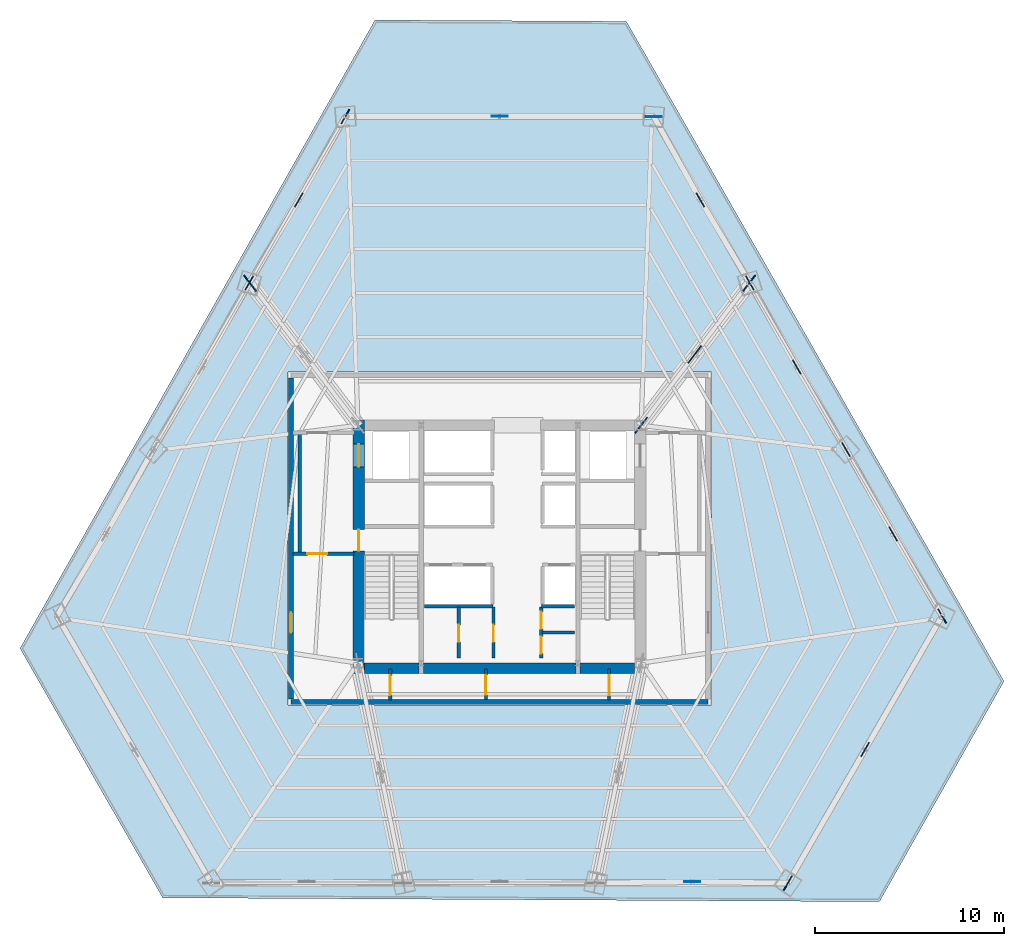
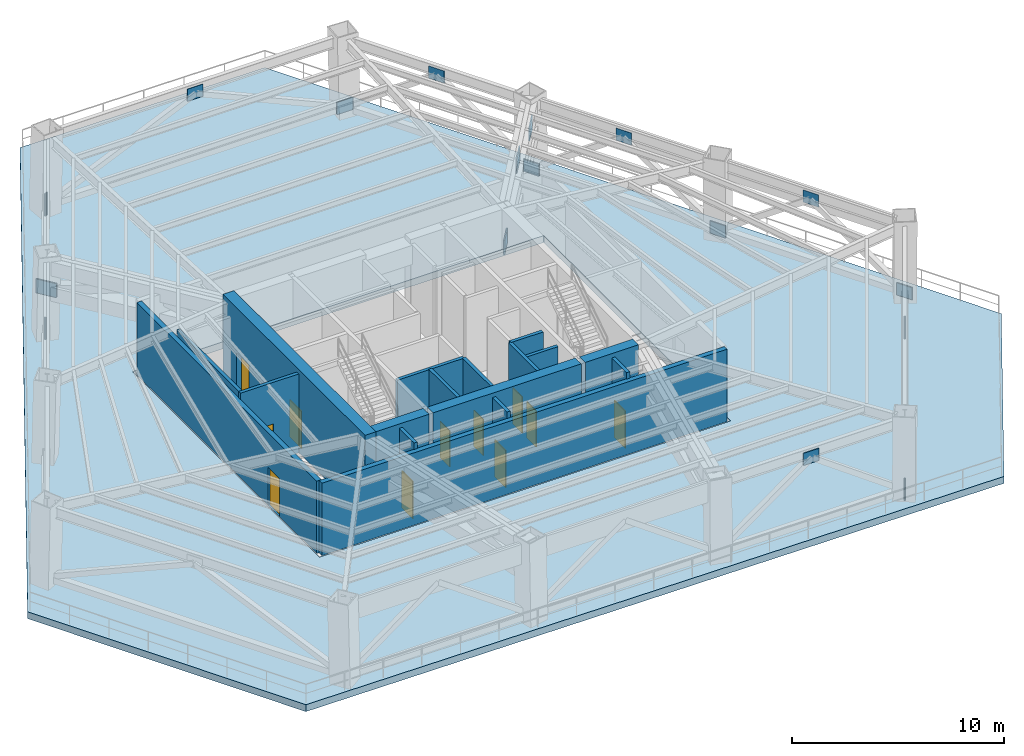
# One storey, part 7 of 13: 18 plates, 17 walls, 11 doors, 1 slab, 11 openings.
"""IFC4 building model written with IfcOpenShell, lengths in metres."""

from ifc_helpers import new_model, si_unit, direction, frame, frame_2d, origin, origin_2d, place, context, subcontext, project, spatial, polyline, rectangle, outline, extrude, source, transform, mapped, material, layer, layer_set, type_object, type_shapes, element, fill, save


model = new_model("IFC4")

# Units and contexts
model_context = context("Model", 3, precision=1e-05, world=origin(), true_north=direction((0.0, 1.0)))
body_context = subcontext(model_context, "Body", "Model", "MODEL_VIEW")
ifc_project = project(units=[si_unit("LENGTHUNIT", "METRE"), si_unit("AREAUNIT", "SQUARE_METRE"), si_unit("VOLUMEUNIT", "CUBIC_METRE"), si_unit("PLANEANGLEUNIT", "RADIAN"), si_unit("MASSUNIT", "GRAM", prefix="KILO")], contexts=[model_context])

# Site, building, storey
site_placement = place(None, origin())
site = spatial("IfcSite", under=ifc_project, at=site_placement, CompositionType="ELEMENT")
building_placement = place(site_placement, origin())
building = spatial("IfcBuilding", under=site, at=building_placement, Name="Caelisora Broadcast Tower", CompositionType="ELEMENT")
storey_placement = place(building_placement, frame((0.0, 0.0, 75.050048828125)))
storey = spatial("IfcBuildingStorey", under=building, at=storey_placement, Name="L19", CompositionType="ELEMENT", Elevation=75.050048828125)

# Slab
ifc_material_1 = material(Name="Concrete 50 MPa (AS 3600 S50)", Category="concrete")
ifc_layer_1 = layer(ifc_material_1, 0.39990234375, Name="Concrete 50 MPa (AS 3600 S50)")
ifc_layer_set_1 = layer_set([ifc_layer_1], Name="Concrete 50 MPa (AS 3600 S50)")
slab_type = type_object("IfcSlabType", Name="TR02", PredefinedType="FLOOR", material=ifc_layer_set_1)
slab_placement = place(storey_placement, frame((0.0, 0.0, -0.400146484375)))
element("IfcSlab", 1, at=slab_placement, inside=storey, type_object=slab_type, Name="L19 outdoor terrace slab TR02", PredefinedType="FLOOR", context=body_context, shape_type="SweptSolid", body=[
    extrude(outline(polyline([(64.72607421875, 16.43896484375), (58.1279296875, 4.760986328125), (20.153076171875, 4.967041015625), (12.593017578125, 18.179931640625), (31.402099609375, 51.472900390625), (44.722900390625, 51.39990234375), (64.72607421875, 16.43896484375)]), holes=[polyline([(49.199951171875, 15.179931640625), (49.201904296875, 15.179931640625), (49.2041015625, 15.179931640625), (49.2060546875, 15.180908203125), (49.2080078125, 15.181884765625), (49.208984375, 15.181884765625), (49.2109375, 15.18310546875), (49.212890625, 15.18505859375), (49.214111328125, 15.18603515625), (49.215087890625, 15.18701171875), (49.217041015625, 15.18896484375), (49.218017578125, 15.19091796875), (49.218017578125, 15.19189453125), (49.218994140625, 15.194091796875), (49.219970703125, 15.196044921875), (49.219970703125, 15.197998046875), (49.219970703125, 15.199951171875), (49.219970703125, 32.800048828125), (49.219970703125, 32.802001953125), (49.219970703125, 32.803955078125), (49.218994140625, 32.805908203125), (49.218017578125, 32.80810546875), (49.218017578125, 32.80908203125), (49.217041015625, 32.81103515625), (49.215087890625, 32.81298828125), (49.214111328125, 32.81396484375), (49.212890625, 32.81494140625), (49.2109375, 32.81689453125), (49.208984375, 32.818115234375), (49.2080078125, 32.818115234375), (49.2060546875, 32.819091796875), (49.2041015625, 32.820068359375), (49.201904296875, 32.820068359375), (49.199951171875, 32.820068359375), (26.800048828125, 32.820068359375), (26.798095703125, 32.820068359375), (26.7958984375, 32.820068359375), (26.7939453125, 32.819091796875), (26.7919921875, 32.818115234375), (26.791015625, 32.818115234375), (26.7890625, 32.81689453125), (26.787109375, 32.81494140625), (26.785888671875, 32.81396484375), (26.784912109375, 32.81298828125), (26.782958984375, 32.81103515625), (26.781982421875, 32.80908203125), (26.781982421875, 32.80810546875), (26.781005859375, 32.805908203125), (26.780029296875, 32.803955078125), (26.780029296875, 32.802001953125), (26.780029296875, 32.800048828125), (26.780029296875, 15.199951171875), (26.780029296875, 15.197998046875), (26.780029296875, 15.196044921875), (26.781005859375, 15.194091796875), (26.781982421875, 15.19189453125), (26.781982421875, 15.19091796875), (26.782958984375, 15.18896484375), (26.784912109375, 15.18701171875), (26.785888671875, 15.18603515625), (26.787109375, 15.18505859375), (26.7890625, 15.18310546875), (26.791015625, 15.181884765625), (26.7919921875, 15.181884765625), (26.7939453125, 15.180908203125), (26.7958984375, 15.179931640625), (26.798095703125, 15.179931640625), (26.800048828125, 15.179931640625), (49.199951171875, 15.179931640625)])]), origin(), (0.0, 0.0, 1.0), 0.400146484375),
])

# Plates
ifc_material_2 = material(Name="Steel Grade 350 L15 (AS/NZS 3678)", Category="steel")
ifc_layer_2 = layer(ifc_material_2, 0.050048828125, Name="Steel Grade 350 L15 (AS/NZS 3678)")
ifc_layer_set_2 = layer_set([ifc_layer_2], Name="Steel Grade 350 L15 (AS/NZS 3678)")
plate_type_1 = type_object("IfcPlateType", Name="GP03", PredefinedType="USERDEFINED", material=ifc_layer_set_2)
shared_shape_1 = source(origin(), body_context, "Body", "SweptSolid", [
    extrude(rectangle(XDim=0.85009765625, YDim=0.050048828125, at=origin_2d()), origin(), (0.0, 0.0, 1.0), 0.699951171875),
])
type_shapes(plate_type_1, [shared_shape_1])
for number, where, z_axis, x_axis, name in (
    (2, (46.169677734375, 46.356201171875, 0.0), (0.0, 0.0, 1.0), (-1.0, 0.0, 0.0), "L19 gusset plate GP03 (ND-BT-L19-01B)"),
    (3, (38.0, 46.362548828125, 3.6201171875), (0.0, 0.0, 1.0), (-1.0, 0.0, 0.0), "L19 gusset plate GP03 (ND-BT-L19-01M)"),
    (4, (29.830322265625, 46.356201171875, 0.0), (0.0, 0.0, 1.0), (-0.5, -0.866025403784, 0.0), "L19 gusset plate GP03 (ND-BT-L19-02B)"),
    (5, (27.362548828125, 41.938720703125, 3.6201171875), (0.0, 0.0, 1.0), (-0.5, -0.866025403784, 0.0), "L19 gusset plate GP03 (ND-BT-L19-02M)"),
    (6, (24.73828125, 37.536376953125, 0.0), (0.0, 0.0, 1.0), (-0.5, -0.866025403784, 0.0), "L19 gusset plate GP03 (ND-BT-L19-03B)"),
    (7, (48.216552734375, 5.818603515625, 3.6201171875), (0.0, 0.0, 1.0), (1.0, 0.0, 0.0), "L19 gusset plate GP03 (ND-BT-L19-08M)"),
    (8, (53.276123046875, 5.746826171875, 0.0), (0.0, 0.0, 1.0), (0.5, 0.866025403784, 0.0), "L19 gusset plate GP03 (ND-BT-L19-09B)"),
    (9, (57.366455078125, 12.818603515625, 3.6201171875), (0.0, 0.0, 1.0), (0.5, 0.866025403784, 0.0), "L19 gusset plate GP03 (ND-BT-L19-09M)"),
    (10, (61.44580078125, 19.897216796875, 0.0), (0.0, 0.0, 1.0), (-0.5, 0.866025403784, 0.0), "L19 gusset plate GP03 (ND-BT-L19-10B)"),
    (11, (58.85400390625, 24.242919921875, 3.6201171875), (0.0, 0.0, 1.0), (-0.5, 0.866025403784, 0.0), "L19 gusset plate GP03 (ND-BT-L19-10M)"),
    (12, (56.353759765625, 28.716796875, 0.0), (0.0, 0.0, 1.0), (-0.5, 0.866025403784, 0.0), "L19 gusset plate GP03 (ND-BT-L19-11B)"),
    (13, (53.74560546875, 33.0908203125, 3.6201171875), (0.0, 0.0, 1.0), (-0.5, 0.866025403784, 0.0), "L19 gusset plate GP03 (ND-BT-L19-11M)"),
    (14, (51.26171875, 37.536376953125, 0.0), (0.0, 0.0, 1.0), (-0.5, 0.866025403784, 0.0), "L19 gusset plate GP03 (ND-BT-L19-12B)"),
    (15, (48.63720703125, 41.938720703125, 3.6201171875), (0.0, 0.0, 1.0), (-0.5, 0.866025403784, 0.0), "L19 gusset plate GP03 (ND-BT-L19-12M)"),
):
    element("IfcPlate", number, at=place(storey_placement, frame(where, z_axis=z_axis, x_axis=x_axis)), inside=storey, type_object=plate_type_1, Name=name, ObjectType="GUSSET PLATE", PredefinedType="USERDEFINED", context=body_context, shape_type="MappedRepresentation", body=[
        mapped(shared_shape_1, transform((0.0, 0.0, 0.0), scale=1.0)),
    ])
ifc_layer_3 = layer(ifc_material_2, 0.06005859375, Name="Steel Grade 350 L15 (AS/NZS 3678)")
ifc_layer_set_3 = layer_set([ifc_layer_3], Name="Steel Grade 350 L15 (AS/NZS 3678)")
plate_type_2 = type_object("IfcPlateType", Name="GP02", PredefinedType="USERDEFINED", material=ifc_layer_set_3)
shared_shape_2 = source(origin(), body_context, "Body", "SweptSolid", [
    extrude(rectangle(XDim=1.050048828125, YDim=0.06005859375, at=origin_2d()), origin(), (0.0, 0.0, 1.0), 0.800048828125),
])
for number, where, z_axis, x_axis, name in (
    (16, (45.5, 30.0, 2.27978515625), (0.0, 0.0, 1.0), (0.605016094056, 0.796213241496, 0.0), "L19 gusset plate GP02 (ND-OR-L19-3A)"),
    (17, (51.216552734375, 37.5224609375, 2.27978515625), (0.0, 0.0, 1.0), (0.605016094056, 0.796213241496, 0.0), "L19 gusset plate GP02 (ND-OR-L19-3B)"),
    (18, (24.783447265625, 37.5224609375, 2.27978515625), (0.0, 0.0, 1.0), (-0.605016094056, 0.796213241496, 0.0), "L19 gusset plate GP02 (ND-OR-L19-4B)"),
):
    element("IfcPlate", number, at=place(storey_placement, frame(where, z_axis=z_axis, x_axis=x_axis)), inside=storey, type_object=plate_type_2, Name=name, ObjectType="GUSSET PLATE", PredefinedType="USERDEFINED", context=body_context, shape_type="MappedRepresentation", body=[
        mapped(shared_shape_2, transform((0.0, 0.0, 0.0), scale=1.0)),
    ])
shared_shape_3 = source(origin(), body_context, "Body", "SweptSolid", [
    extrude(rectangle(XDim=1.14990234375, YDim=0.06005859375, at=origin_2d()), origin(), (0.0, 0.0, 1.0), 0.800048828125),
])
type_shapes(plate_type_2, [shared_shape_2, shared_shape_3])
plate_placement = place(storey_placement, frame((48.34423828125, 33.7568359375, 3.72998046875), z_axis=(0.0, 0.0, 1.0), x_axis=(0.605016094056, 0.796213241496, 0.0)))
element("IfcPlate", 19, at=plate_placement, inside=storey, type_object=plate_type_2, Name="L19 gusset plate GP02 (ND-OR-L19-3M)", ObjectType="GUSSET PLATE", PredefinedType="USERDEFINED", context=body_context, shape_type="MappedRepresentation", body=[
    mapped(shared_shape_3, transform((0.0, 0.0, 0.0), scale=1.0)),
])

# Wall, openings, doors
ifc_material_3 = material(Name="Concrete 65 MPa (AS 3600 S65)", Category="concrete")
ifc_layer_4 = layer(ifc_material_3, 0.60009765625, Name="Concrete 65 MPa (AS 3600 S65)")
ifc_layer_set_4 = layer_set([ifc_layer_4], Name="Concrete 65 MPa (AS 3600 S65)")
wall_type_1 = type_object("IfcWallType", Name="CW1", PredefinedType="SHEAR", material=ifc_layer_set_4)
wall_1_placement = place(storey_placement, frame((30.5400390625, 16.85009765625, 0.0), z_axis=(0.0, 0.0, 1.0), x_axis=(0.0, 1.0, 0.0)))
wall_1 = element("IfcWall", 20, at=wall_1_placement, inside=storey, type_object=wall_type_1, Name="L19 core shear wall CW1", PredefinedType="SHEAR", context=body_context, shape_type="SweptSolid", body=[
    extrude(rectangle(XDim=13.4248046875, YDim=0.60009765625, at=frame_2d((6.71240234375, 0.0))), origin(), (0.0, 0.0, 1.0), 4.800048828125),
])
opening_1_placement = place(wall_1_placement, frame((6.5, 0.0, 0.0)))
opening_1 = element("IfcOpeningElement", 21, at=opening_1_placement, cuts=wall_1, Name="Opening FD04", PredefinedType="OPENING", context=body_context, shape_type="SweptSolid", body=[
    extrude(rectangle(XDim=1.1201171875, YDim=2.14990234375, at=frame_2d((0.56005859375, 1.074951171875))), frame((0.0, 0.31201171875, 0.0), z_axis=(0.0, -1.0, 0.0), x_axis=(1.0, 0.0, 0.0)), (0.0, 0.0, 1.0), 0.6240234375),
])
opening_2_placement = place(wall_1_placement, frame((10.949951171875, 0.0, 0.0)))
opening_2 = element("IfcOpeningElement", 22, at=opening_2_placement, cuts=wall_1, Name="Opening LD04", PredefinedType="OPENING", context=body_context, shape_type="SweptSolid", body=[
    extrude(rectangle(XDim=1.199951171875, YDim=2.199951171875, at=frame_2d((0.60009765625, 1.10009765625))), frame((0.0, 0.31201171875, 0.0), z_axis=(0.0, -1.0, 0.0), x_axis=(1.0, 0.0, 0.0)), (0.0, 0.0, 1.0), 0.6240234375),
])
ifc_material_4 = material(Name="Pressurised Fire-Isolated Stair Door", Category="steel")
door_type_1 = type_object("IfcDoorType", Name="FD04", OperationType="NOTDEFINED", PredefinedType="DOOR", material=ifc_material_4)
door_1_placement = place(opening_1_placement, origin())
door_1 = element("IfcDoor", 23, at=door_1_placement, inside=storey, type_object=door_type_1, Name="L19 door FD04 (L19-DR-ST1)", OperationType="SINGLE_SWING_LEFT", OverallHeight=2.14990234375, OverallWidth=1.1201171875, PredefinedType="DOOR", context=body_context, shape_type="SweptSolid", body=[
    extrude(rectangle(XDim=1.1201171875, YDim=2.14990234375, at=frame_2d((0.56005859375, 1.074951171875))), frame((0.0, 0.02490234375, 0.0), z_axis=(0.0, -1.0, 0.0), x_axis=(1.0, 0.0, 0.0)), (0.0, 0.0, 1.0), 0.050048828125),
])
fill(opening_1, door_1)
ifc_material_5 = material(Name="Emergency Firefighting Lift Sliding Landing Door", Category="steel")
door_type_2 = type_object("IfcDoorType", Name="LD04", OperationType="NOTDEFINED", PredefinedType="DOOR", material=ifc_material_5)
door_2_placement = place(opening_2_placement, origin())
door_2 = element("IfcDoor", 24, at=door_2_placement, inside=storey, type_object=door_type_2, Name="L19 door LD04 (L19-LD-FFL1)", OperationType="SLIDING_TO_LEFT", OverallHeight=2.199951171875, OverallWidth=1.199951171875, PredefinedType="DOOR", context=body_context, shape_type="SweptSolid", body=[
    extrude(rectangle(XDim=1.199951171875, YDim=2.199951171875, at=frame_2d((0.60009765625, 1.10009765625))), frame((0.0, 0.02490234375, 0.0), z_axis=(0.0, -1.0, 0.0), x_axis=(1.0, 0.0, 0.0)), (0.0, 0.0, 1.0), 0.050048828125),
])
fill(opening_2, door_2)

# Walls
ifc_layer_5 = layer(ifc_material_3, 0.550048828125, Name="Concrete 65 MPa (AS 3600 S65)")
ifc_layer_set_5 = layer_set([ifc_layer_5], Name="Concrete 65 MPa (AS 3600 S65)")
wall_type_2 = type_object("IfcWallType", Name="CW4", PredefinedType="SHEAR", material=ifc_layer_set_5)
wall_2_placement = place(storey_placement, frame((30.840087890625, 17.125, 0.0), z_axis=(0.0, 0.0, 1.0), x_axis=(1.0, 0.0, 0.0)))
element("IfcWall", 25, at=wall_2_placement, inside=storey, type_object=wall_type_2, Name="L19 core shear wall CW4", PredefinedType="SHEAR", context=body_context, shape_type="SweptSolid", body=[
    extrude(rectangle(XDim=2.89990234375, YDim=0.550048828125, at=frame_2d((1.449951171875, 0.0))), origin(), (0.0, 0.0, 1.0), 4.800048828125),
])
wall_3_placement = place(storey_placement, frame((33.9599609375, 17.125, 0.0), z_axis=(0.0, 0.0, 1.0), x_axis=(1.0, 0.0, 0.0)))
element("IfcWall", 26, at=wall_3_placement, inside=storey, type_object=wall_type_2, Name="L19 core shear wall CW4", PredefinedType="SHEAR", context=body_context, shape_type="SweptSolid", body=[
    extrude(rectangle(XDim=8.080078125, YDim=0.550048828125, at=frame_2d((4.0400390625, 0.0))), origin(), (0.0, 0.0, 1.0), 4.800048828125),
])
wall_4_placement = place(storey_placement, frame((42.260009765625, 17.125, 0.0), z_axis=(0.0, 0.0, 1.0), x_axis=(1.0, 0.0, 0.0)))
element("IfcWall", 27, at=wall_4_placement, inside=storey, type_object=wall_type_2, Name="L19 core shear wall CW4", PredefinedType="SHEAR", context=body_context, shape_type="SweptSolid", body=[
    extrude(rectangle(XDim=2.89990234375, YDim=0.550048828125, at=frame_2d((1.449951171875, 0.0))), origin(), (0.0, 0.0, 1.0), 4.800048828125),
])
ifc_material_6 = material(Name="Fire-Rated Acoustic Plant Enclosure Wall", Category="masonry")
ifc_layer_6 = layer(ifc_material_6, 0.260009765625, Name="Fire-Rated Acoustic Plant Enclosure Wall")
ifc_layer_set_6 = layer_set([ifc_layer_6], Name="Fire-Rated Acoustic Plant Enclosure Wall")
wall_type_3 = type_object("IfcWallType", Name="EW2", PredefinedType="STANDARD", material=ifc_layer_set_6)
wall_5_placement = place(storey_placement, frame((26.949951171875, 15.35009765625, 0.0), z_axis=(0.0, 0.0, 1.0), x_axis=(1.0, 0.0, 0.0)))
element("IfcWall", 28, at=wall_5_placement, inside=storey, type_object=wall_type_3, Name="L19 exterior envelope wall EW2", PredefinedType="STANDARD", context=body_context, shape_type="SweptSolid", body=[
    extrude(rectangle(XDim=22.10009765625, YDim=0.260009765625, at=frame_2d((11.050048828125, 0.0))), origin(), (0.0, 0.0, 1.0), 4.17626953125),
])

# Wall, opening, door
wall_6_placement = place(storey_placement, frame((26.949951171875, 15.5, 0.0), z_axis=(0.0, 0.0, 1.0), x_axis=(0.0, 1.0, 0.0)))
wall_6 = element("IfcWall", 29, at=wall_6_placement, inside=storey, type_object=wall_type_3, Name="L19 exterior envelope wall EW2", PredefinedType="STANDARD", context=body_context, shape_type="SweptSolid", body=[
    extrude(rectangle(XDim=17.0, YDim=0.260009765625, at=frame_2d((8.5, 0.0))), origin(), (0.0, 0.0, 1.0), 4.17626953125),
])
opening_3_placement = place(wall_6_placement, frame((3.5, 0.0, 0.0)))
opening_3 = element("IfcOpeningElement", 30, at=opening_3_placement, cuts=wall_6, Name="Opening D04", PredefinedType="OPENING", context=body_context, shape_type="SweptSolid", body=[
    extrude(rectangle(XDim=1.10009765625, YDim=2.199951171875, at=frame_2d((0.550048828125, 1.10009765625))), frame((0.0, 0.14208984375, 0.0), z_axis=(0.0, -1.0, 0.0), x_axis=(1.0, 0.0, 0.0)), (0.0, 0.0, 1.0), 0.283935546875),
])
ifc_material_7 = material(Name="Aluminium Framed Double-Glazed Terrace Door", Category="aluminium")
door_type_3 = type_object("IfcDoorType", Name="D04", OperationType="NOTDEFINED", PredefinedType="DOOR", material=ifc_material_7)
door_3_placement = place(opening_3_placement, origin())
door_3 = element("IfcDoor", 31, at=door_3_placement, inside=storey, type_object=door_type_3, Name="L19 door D04 (L19-DR-REF-W)", OperationType="SINGLE_SWING_LEFT", OverallHeight=2.199951171875, OverallWidth=1.10009765625, PredefinedType="DOOR", context=body_context, shape_type="SweptSolid", body=[
    extrude(rectangle(XDim=1.10009765625, YDim=2.199951171875, at=frame_2d((0.550048828125, 1.10009765625))), frame((0.0, 0.02490234375, 0.0), z_axis=(0.0, -1.0, 0.0), x_axis=(1.0, 0.0, 0.0)), (0.0, 0.0, 1.0), 0.050048828125),
])
fill(opening_3, door_3)

# Wall
ifc_material_8 = material(Name="Fire-Rated Gypsum Shaft and Compartment Wall", Category="gypsum")
ifc_layer_7 = layer(ifc_material_8, 0.179931640625, Name="Fire-Rated Gypsum Shaft and Compartment Wall")
ifc_layer_set_7 = layer_set([ifc_layer_7], Name="Fire-Rated Gypsum Shaft and Compartment Wall")
wall_type_4 = type_object("IfcWallType", Name="PW2", PredefinedType="PARTITIONING", material=ifc_layer_set_7)
wall_7_placement = place(storey_placement, frame((27.419921875, 23.199951171875, 0.0), z_axis=(0.0, 0.0, 1.0), x_axis=(0.0, 1.0, 0.0)))
element("IfcWall", 32, at=wall_7_placement, inside=storey, type_object=wall_type_4, Name="L19 fire compartment wall PW2", PredefinedType="PARTITIONING", context=body_context, shape_type="SweptSolid", body=[
    extrude(rectangle(XDim=6.400146484375, YDim=0.179931640625, at=frame_2d((3.2001953125, 0.0))), origin(), (0.0, 0.0, 1.0), 4.17626953125),
])

# Wall, opening, door
wall_8_placement = place(storey_placement, frame((27.06494140625, 23.199951171875, 0.0), z_axis=(0.0, 0.0, 1.0), x_axis=(1.0, 0.0, 0.0)))
wall_8 = element("IfcWall", 33, at=wall_8_placement, inside=storey, type_object=wall_type_4, Name="L19 fire compartment wall PW2", PredefinedType="PARTITIONING", context=body_context, shape_type="SweptSolid", body=[
    extrude(rectangle(XDim=3.215087890625, YDim=0.179931640625, at=frame_2d((1.607421875, 0.0))), origin(), (0.0, 0.0, 1.0), 4.550048828125),
])
opening_4_placement = place(wall_8_placement, frame((0.75, 0.0, 0.0)))
opening_4 = element("IfcOpeningElement", 34, at=opening_4_placement, cuts=wall_8, Name="Opening FD02", PredefinedType="OPENING", context=body_context, shape_type="SweptSolid", body=[
    extrude(rectangle(XDim=1.050048828125, YDim=2.14990234375, at=frame_2d((0.52490234375, 1.074951171875))), frame((0.0, 0.10205078125, 0.0), z_axis=(0.0, -1.0, 0.0), x_axis=(1.0, 0.0, 0.0)), (0.0, 0.0, 1.0), 0.203857421875),
])
ifc_material_9 = material(Name="Single-Leaf Steel Fire Lobby Door", Category="steel")
door_type_4 = type_object("IfcDoorType", Name="FD02", OperationType="NOTDEFINED", PredefinedType="DOOR", material=ifc_material_9)
door_4_placement = place(opening_4_placement, origin())
door_4 = element("IfcDoor", 35, at=door_4_placement, inside=storey, type_object=door_type_4, Name="L19 door FD02 (L19-DR-P02D1)", OperationType="SINGLE_SWING_RIGHT", OverallHeight=2.14990234375, OverallWidth=1.050048828125, PredefinedType="DOOR", context=body_context, shape_type="SweptSolid", body=[
    extrude(rectangle(XDim=1.050048828125, YDim=2.14990234375, at=frame_2d((0.52490234375, 1.074951171875))), frame((0.0, 0.02490234375, 0.0), z_axis=(0.0, -1.0, 0.0), x_axis=(1.0, 0.0, 0.0)), (0.0, 0.0, 1.0), 0.050048828125),
])
fill(opening_4, door_4)

# Walls
wall_9_placement = place(storey_placement, frame((34.02001953125, 20.419921875, 0.0), z_axis=(0.0, 0.0, 1.0), x_axis=(1.0, 0.0, 0.0)))
element("IfcWall", 36, at=wall_9_placement, inside=storey, type_object=wall_type_4, Name="L19 fire compartment wall PW2", PredefinedType="PARTITIONING", context=body_context, shape_type="SweptSolid", body=[
    extrude(rectangle(XDim=3.639892578125, YDim=0.179931640625, at=frame_2d((1.81982421875, 0.0))), origin(), (0.0, 0.0, 1.0), 4.550048828125),
])
wall_10_placement = place(storey_placement, frame((40.219970703125, 20.419921875, 0.0), z_axis=(0.0, 0.0, 1.0), x_axis=(1.0, 0.0, 0.0)))
element("IfcWall", 37, at=wall_10_placement, inside=storey, type_object=wall_type_4, Name="L19 fire compartment wall PW2", PredefinedType="PARTITIONING", context=body_context, shape_type="SweptSolid", body=[
    extrude(rectangle(XDim=1.760009765625, YDim=0.179931640625, at=frame_2d((0.8798828125, 0.0))), origin(), (0.0, 0.0, 1.0), 4.550048828125),
])

# Wall, opening, door
wall_11_placement = place(storey_placement, frame((35.840087890625, 17.679931640625, 0.0), z_axis=(0.0, 0.0, 1.0), x_axis=(0.0, 1.0, 0.0)))
wall_11 = element("IfcWall", 38, at=wall_11_placement, inside=storey, type_object=wall_type_4, Name="L19 fire compartment wall PW2", PredefinedType="PARTITIONING", context=body_context, shape_type="SweptSolid", body=[
    extrude(rectangle(XDim=2.699951171875, YDim=0.179931640625, at=frame_2d((1.35009765625, 0.0))), origin(), (0.0, 0.0, 1.0), 4.550048828125),
])
opening_5_placement = place(wall_11_placement, frame((0.85009765625, 0.0, 0.0)))
opening_5 = element("IfcOpeningElement", 39, at=opening_5_placement, cuts=wall_11, Name="Opening FD03", PredefinedType="OPENING", context=body_context, shape_type="SweptSolid", body=[
    extrude(rectangle(XDim=0.89990234375, YDim=2.10009765625, at=frame_2d((0.449951171875, 1.050048828125))), frame((0.0, 0.10205078125, 0.0), z_axis=(0.0, -1.0, 0.0), x_axis=(1.0, 0.0, 0.0)), (0.0, 0.0, 1.0), 0.203857421875),
])
ifc_material_10 = material(Name="Single-Leaf Steel Riser Fire Access Door", Category="steel")
door_type_5 = type_object("IfcDoorType", Name="FD03", OperationType="NOTDEFINED", PredefinedType="DOOR", material=ifc_material_10)
door_5_placement = place(opening_5_placement, origin())
door_5 = element("IfcDoor", 40, at=door_5_placement, inside=storey, type_object=door_type_5, Name="L19 door FD03 (L19-DR-P11D1)", OperationType="SINGLE_SWING_RIGHT", OverallHeight=2.10009765625, OverallWidth=0.89990234375, PredefinedType="DOOR", context=body_context, shape_type="SweptSolid", body=[
    extrude(rectangle(XDim=0.89990234375, YDim=2.10009765625, at=frame_2d((0.449951171875, 1.050048828125))), frame((0.0, 0.02490234375, 0.0), z_axis=(0.0, -1.0, 0.0), x_axis=(1.0, 0.0, 0.0)), (0.0, 0.0, 1.0), 0.050048828125),
])
fill(opening_5, door_5)

wall_12_placement = place(storey_placement, frame((37.679931640625, 17.679931640625, 0.0), z_axis=(0.0, 0.0, 1.0), x_axis=(0.0, 1.0, 0.0)))
wall_12 = element("IfcWall", 41, at=wall_12_placement, inside=storey, type_object=wall_type_4, Name="L19 fire compartment wall PW2", PredefinedType="PARTITIONING", context=body_context, shape_type="SweptSolid", body=[
    extrude(rectangle(XDim=2.699951171875, YDim=0.179931640625, at=frame_2d((1.35009765625, 0.0))), origin(), (0.0, 0.0, 1.0), 4.550048828125),
])
opening_6_placement = place(wall_12_placement, frame((0.85009765625, 0.0, 0.0)))
opening_6 = element("IfcOpeningElement", 42, at=opening_6_placement, cuts=wall_12, Name="Opening FD03", PredefinedType="OPENING", context=body_context, shape_type="SweptSolid", body=[
    extrude(rectangle(XDim=0.89990234375, YDim=2.10009765625, at=frame_2d((0.449951171875, 1.050048828125))), frame((0.0, 0.10205078125, 0.0), z_axis=(0.0, -1.0, 0.0), x_axis=(1.0, 0.0, 0.0)), (0.0, 0.0, 1.0), 0.203857421875),
])
door_6_placement = place(opening_6_placement, origin())
door_6 = element("IfcDoor", 43, at=door_6_placement, inside=storey, type_object=door_type_5, Name="L19 door FD03 (L19-DR-P12D1)", OperationType="SINGLE_SWING_LEFT", OverallHeight=2.10009765625, OverallWidth=0.89990234375, PredefinedType="DOOR", context=body_context, shape_type="SweptSolid", body=[
    extrude(rectangle(XDim=0.89990234375, YDim=2.10009765625, at=frame_2d((0.449951171875, 1.050048828125))), frame((0.0, 0.02490234375, 0.0), z_axis=(0.0, -1.0, 0.0), x_axis=(1.0, 0.0, 0.0)), (0.0, 0.0, 1.0), 0.050048828125),
])
fill(opening_6, door_6)

# Wall
wall_13_placement = place(storey_placement, frame((40.280029296875, 19.02001953125, 0.0), z_axis=(0.0, 0.0, 1.0), x_axis=(1.0, 0.0, 0.0)))
element("IfcWall", 44, at=wall_13_placement, inside=storey, type_object=wall_type_4, Name="L19 fire compartment wall PW2", PredefinedType="PARTITIONING", context=body_context, shape_type="SweptSolid", body=[
    extrude(rectangle(XDim=1.699951171875, YDim=0.179931640625, at=frame_2d((0.85009765625, 0.0))), origin(), (0.0, 0.0, 1.0), 4.550048828125),
])

# Wall, openings, doors
wall_14_placement = place(storey_placement, frame((40.199951171875, 17.679931640625, 0.0), z_axis=(0.0, 0.0, 1.0), x_axis=(0.0, 1.0, 0.0)))
wall_14 = element("IfcWall", 45, at=wall_14_placement, inside=storey, type_object=wall_type_4, Name="L19 fire compartment wall PW2", PredefinedType="PARTITIONING", context=body_context, shape_type="SweptSolid", body=[
    extrude(rectangle(XDim=2.699951171875, YDim=0.179931640625, at=frame_2d((1.35009765625, 0.0))), origin(), (0.0, 0.0, 1.0), 4.550048828125),
])
opening_7_placement = place(wall_14_placement, frame((0.219970703125, 0.0, 0.0)))
opening_7 = element("IfcOpeningElement", 46, at=opening_7_placement, cuts=wall_14, Name="Opening FD03", PredefinedType="OPENING", context=body_context, shape_type="SweptSolid", body=[
    extrude(rectangle(XDim=0.89990234375, YDim=2.10009765625, at=frame_2d((0.449951171875, 1.050048828125))), frame((0.0, 0.10205078125, 0.0), z_axis=(0.0, -1.0, 0.0), x_axis=(1.0, 0.0, 0.0)), (0.0, 0.0, 1.0), 0.203857421875),
])
opening_8_placement = place(wall_14_placement, frame((1.5400390625, 0.0, 0.0)))
opening_8 = element("IfcOpeningElement", 47, at=opening_8_placement, cuts=wall_14, Name="Opening FD03", PredefinedType="OPENING", context=body_context, shape_type="SweptSolid", body=[
    extrude(rectangle(XDim=0.89990234375, YDim=2.10009765625, at=frame_2d((0.449951171875, 1.050048828125))), frame((0.0, 0.10205078125, 0.0), z_axis=(0.0, -1.0, 0.0), x_axis=(1.0, 0.0, 0.0)), (0.0, 0.0, 1.0), 0.203857421875),
])
door_7_placement = place(opening_7_placement, origin())
door_7 = element("IfcDoor", 48, at=door_7_placement, inside=storey, type_object=door_type_5, Name="L19 door FD03 (L19-DR-P14D1)", OperationType="SINGLE_SWING_RIGHT", OverallHeight=2.10009765625, OverallWidth=0.89990234375, PredefinedType="DOOR", context=body_context, shape_type="SweptSolid", body=[
    extrude(rectangle(XDim=0.89990234375, YDim=2.10009765625, at=frame_2d((0.449951171875, 1.050048828125))), frame((0.0, 0.02490234375, 0.0), z_axis=(0.0, -1.0, 0.0), x_axis=(1.0, 0.0, 0.0)), (0.0, 0.0, 1.0), 0.050048828125),
])
fill(opening_7, door_7)
door_8_placement = place(opening_8_placement, origin())
door_8 = element("IfcDoor", 49, at=door_8_placement, inside=storey, type_object=door_type_5, Name="L19 door FD03 (L19-DR-P14D2)", OperationType="SINGLE_SWING_LEFT", OverallHeight=2.10009765625, OverallWidth=0.89990234375, PredefinedType="DOOR", context=body_context, shape_type="SweptSolid", body=[
    extrude(rectangle(XDim=0.89990234375, YDim=2.10009765625, at=frame_2d((0.449951171875, 1.050048828125))), frame((0.0, 0.02490234375, 0.0), z_axis=(0.0, -1.0, 0.0), x_axis=(1.0, 0.0, 0.0)), (0.0, 0.0, 1.0), 0.050048828125),
])
fill(opening_8, door_8)

# Wall, opening, door
wall_15_placement = place(storey_placement, frame((32.199951171875, 15.449951171875, 0.0), z_axis=(0.0, 0.0, 1.0), x_axis=(0.0, 1.0, 0.0)))
wall_15 = element("IfcWall", 50, at=wall_15_placement, inside=storey, type_object=wall_type_4, Name="L19 fire compartment wall PW2", PredefinedType="PARTITIONING", context=body_context, shape_type="SweptSolid", body=[
    extrude(rectangle(XDim=1.630126953125, YDim=0.179931640625, at=frame_2d((0.81494140625, 0.0))), origin(), (0.0, 0.0, 1.0), 4.550048828125),
])
opening_9_placement = place(wall_15_placement, frame((0.25, 0.0, 0.0)))
opening_9 = element("IfcOpeningElement", 51, at=opening_9_placement, cuts=wall_15, Name="Opening FD02", PredefinedType="OPENING", context=body_context, shape_type="SweptSolid", body=[
    extrude(rectangle(XDim=1.050048828125, YDim=2.14990234375, at=frame_2d((0.52490234375, 1.074951171875))), frame((0.0, 0.10205078125, 0.0), z_axis=(0.0, -1.0, 0.0), x_axis=(1.0, 0.0, 0.0)), (0.0, 0.0, 1.0), 0.203857421875),
])
door_9_placement = place(opening_9_placement, origin())
door_9 = element("IfcDoor", 52, at=door_9_placement, inside=storey, type_object=door_type_4, Name="L19 door FD02 (L19-DR-P15D1)", OperationType="SINGLE_SWING_RIGHT", OverallHeight=2.14990234375, OverallWidth=1.050048828125, PredefinedType="DOOR", context=body_context, shape_type="SweptSolid", body=[
    extrude(rectangle(XDim=1.050048828125, YDim=2.14990234375, at=frame_2d((0.52490234375, 1.074951171875))), frame((0.0, 0.02490234375, 0.0), z_axis=(0.0, -1.0, 0.0), x_axis=(1.0, 0.0, 0.0)), (0.0, 0.0, 1.0), 0.050048828125),
])
fill(opening_9, door_9)

wall_16_placement = place(storey_placement, frame((43.800048828125, 15.449951171875, 0.0), z_axis=(0.0, 0.0, 1.0), x_axis=(0.0, 1.0, 0.0)))
wall_16 = element("IfcWall", 53, at=wall_16_placement, inside=storey, type_object=wall_type_4, Name="L19 fire compartment wall PW2", PredefinedType="PARTITIONING", context=body_context, shape_type="SweptSolid", body=[
    extrude(rectangle(XDim=1.630126953125, YDim=0.179931640625, at=frame_2d((0.81494140625, 0.0))), origin(), (0.0, 0.0, 1.0), 4.550048828125),
])
opening_10_placement = place(wall_16_placement, frame((0.25, 0.0, 0.0)))
opening_10 = element("IfcOpeningElement", 54, at=opening_10_placement, cuts=wall_16, Name="Opening FD02", PredefinedType="OPENING", context=body_context, shape_type="SweptSolid", body=[
    extrude(rectangle(XDim=1.050048828125, YDim=2.14990234375, at=frame_2d((0.52490234375, 1.074951171875))), frame((0.0, 0.10205078125, 0.0), z_axis=(0.0, -1.0, 0.0), x_axis=(1.0, 0.0, 0.0)), (0.0, 0.0, 1.0), 0.203857421875),
])
door_10_placement = place(opening_10_placement, origin())
door_10 = element("IfcDoor", 55, at=door_10_placement, inside=storey, type_object=door_type_4, Name="L19 door FD02 (L19-DR-P16D1)", OperationType="SINGLE_SWING_LEFT", OverallHeight=2.14990234375, OverallWidth=1.050048828125, PredefinedType="DOOR", context=body_context, shape_type="SweptSolid", body=[
    extrude(rectangle(XDim=1.050048828125, YDim=2.14990234375, at=frame_2d((0.52490234375, 1.074951171875))), frame((0.0, 0.02490234375, 0.0), z_axis=(0.0, -1.0, 0.0), x_axis=(1.0, 0.0, 0.0)), (0.0, 0.0, 1.0), 0.050048828125),
])
fill(opening_10, door_10)

wall_17_placement = place(storey_placement, frame((37.280029296875, 15.465087890625, 0.0), z_axis=(0.0, 0.0, 1.0), x_axis=(0.0, 1.0, 0.0)))
wall_17 = element("IfcWall", 56, at=wall_17_placement, inside=storey, type_object=wall_type_4, Name="L19 fire compartment wall PW2", PredefinedType="PARTITIONING", context=body_context, shape_type="SweptSolid", body=[
    extrude(rectangle(XDim=1.614990234375, YDim=0.179931640625, at=frame_2d((0.8076171875, 0.0))), origin(), (0.0, 0.0, 1.0), 4.550048828125),
])
opening_11_placement = place(wall_17_placement, frame((0.25, 0.0, 0.0)))
opening_11 = element("IfcOpeningElement", 57, at=opening_11_placement, cuts=wall_17, Name="Opening FD02", PredefinedType="OPENING", context=body_context, shape_type="SweptSolid", body=[
    extrude(rectangle(XDim=1.050048828125, YDim=2.14990234375, at=frame_2d((0.52490234375, 1.074951171875))), frame((0.0, 0.10205078125, 0.0), z_axis=(0.0, -1.0, 0.0), x_axis=(1.0, 0.0, 0.0)), (0.0, 0.0, 1.0), 0.203857421875),
])
door_11_placement = place(opening_11_placement, origin())
door_11 = element("IfcDoor", 58, at=door_11_placement, inside=storey, type_object=door_type_4, Name="L19 door FD02 (L19-DR-P17D1)", OperationType="SINGLE_SWING_RIGHT", OverallHeight=2.14990234375, OverallWidth=1.050048828125, PredefinedType="DOOR", context=body_context, shape_type="SweptSolid", body=[
    extrude(rectangle(XDim=1.050048828125, YDim=2.14990234375, at=frame_2d((0.52490234375, 1.074951171875))), frame((0.0, 0.02490234375, 0.0), z_axis=(0.0, -1.0, 0.0), x_axis=(1.0, 0.0, 0.0)), (0.0, 0.0, 1.0), 0.050048828125),
])
fill(opening_11, door_11)

save(model, "model.ifc")
